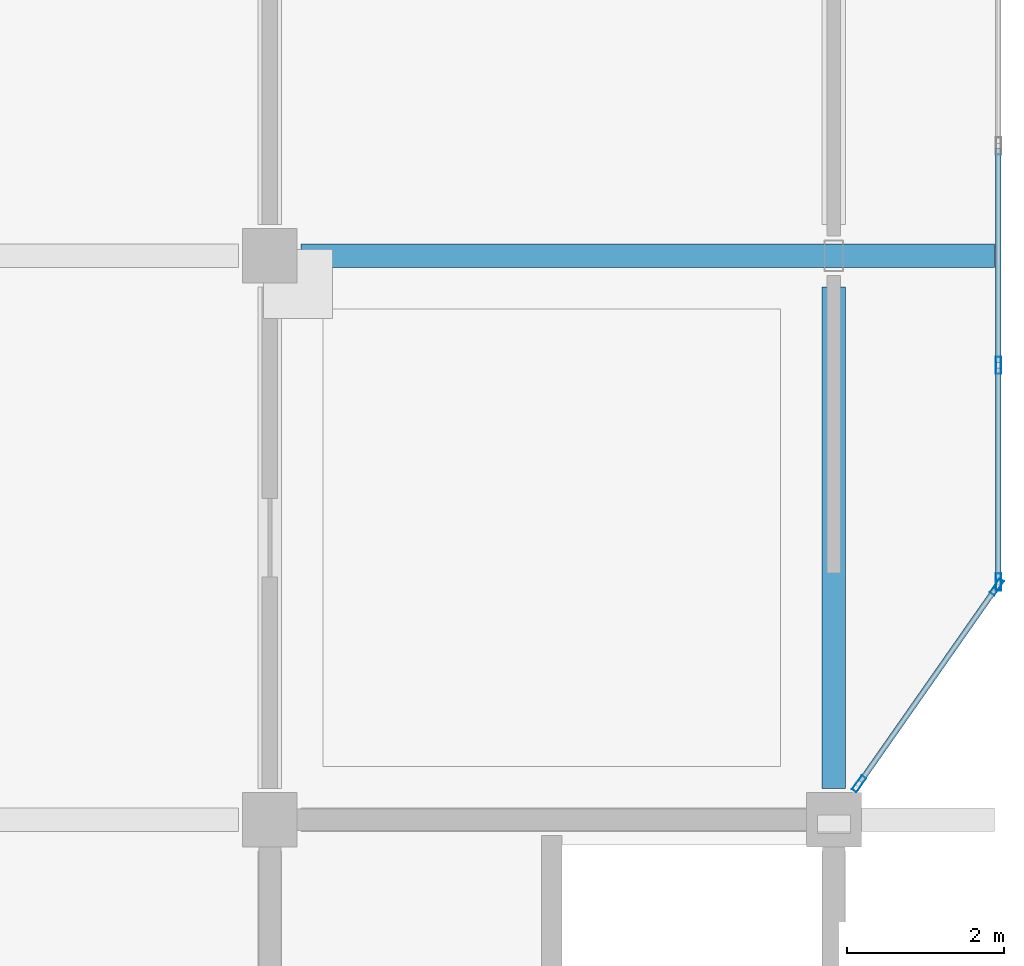
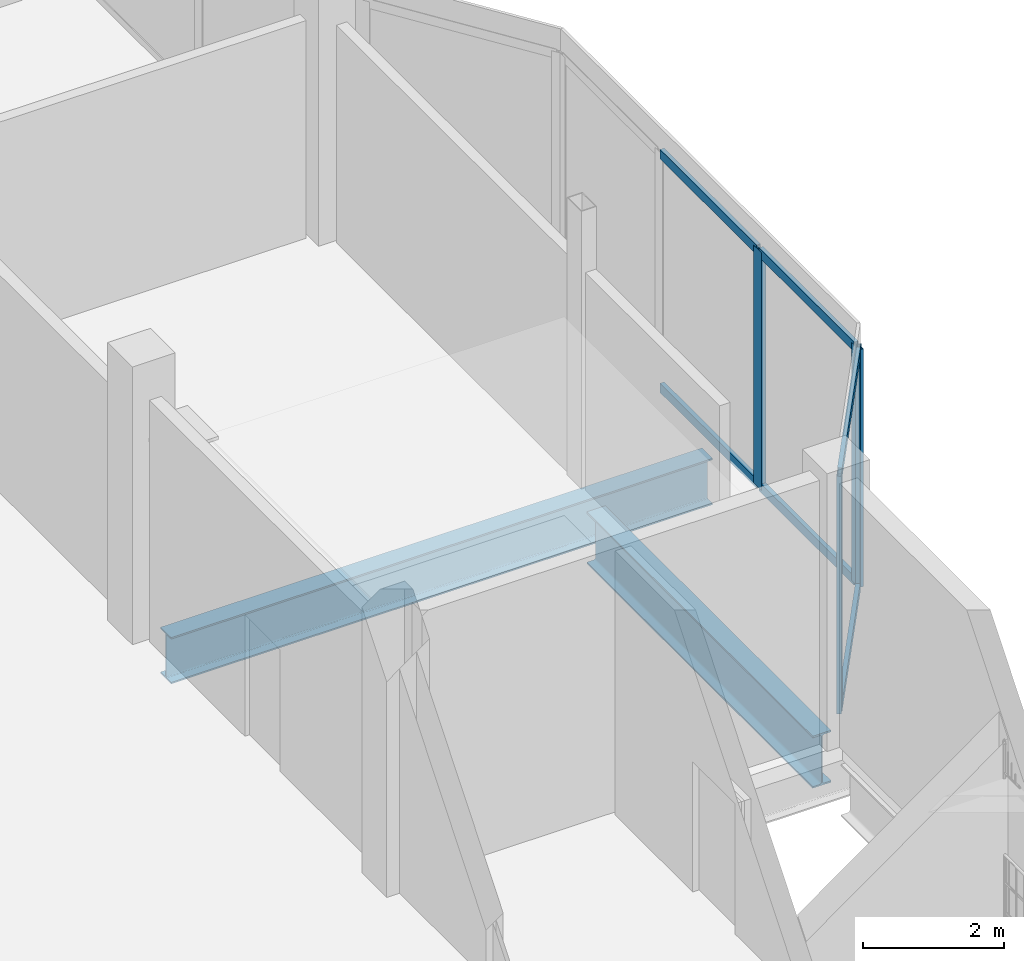
# One storey, part 70 of 120: 10 members, 2 beams, 2 elements without a shape of their own.
"""IFC4 building model written with IfcOpenShell, lengths in metres."""

from ifc_helpers import new_model, si_unit, direction, frame, origin, origin_2d, place, context, subcontext, project, spatial, hollow_rectangle, i_section, extrude, material, material_profile, profile_set, type_object, element, aggregate, save


model = new_model("IFC4")

# Units and contexts
model_context = context("Model", 3, precision=1e-05, world=origin(), true_north=direction((0.0, 1.0)))
body_context = subcontext(model_context, "Body", "Model", "MODEL_VIEW")
ifc_project = project(units=[si_unit("LENGTHUNIT", "METRE"), si_unit("AREAUNIT", "SQUARE_METRE"), si_unit("VOLUMEUNIT", "CUBIC_METRE"), si_unit("PLANEANGLEUNIT", "RADIAN"), si_unit("MASSUNIT", "GRAM", prefix="KILO")], contexts=[model_context])

# Site, building, storey
site_placement = place(None, origin())
site = spatial("IfcSite", under=ifc_project, at=site_placement, CompositionType="ELEMENT")
building_placement = place(site_placement, origin())
building = spatial("IfcBuilding", under=site, at=building_placement, Name="Vesperath Aquatics Centre", CompositionType="ELEMENT")
storey_placement = place(building_placement, frame((0.0, 0.0, 10.199951171875)))
storey = spatial("IfcBuildingStorey", under=building, at=storey_placement, Name="L02", CompositionType="ELEMENT", Elevation=10.199951171875)

# Beams
ifc_material_1 = material(Name="Steel Q355D", Category="steel")
ifc_material_profile_1 = material_profile(ifc_material_1, i_section(OverallWidth=0.300048828125, OverallDepth=0.89990234375, WebThickness=0.01611328125, FlangeThickness=0.028076171875, FilletRadius=0.028076171875, at=origin_2d()), Name="HN 900x300x16x28")
ifc_profile_set_1 = profile_set([ifc_material_profile_1], Name="Steel Q355D")
beam_type_1 = type_object("IfcBeamType", Name="BM-G06", PredefinedType="BEAM", material=ifc_profile_set_1)
beam_1_placement = place(storey_placement, frame((172.800048828125, 22.0, -0.7099609375), z_axis=(0.0, 1.0, 0.0), x_axis=(-1.0, 0.0, 0.0)))
element("IfcBeam", 1, at=beam_1_placement, inside=storey, type_object=beam_type_1, Name="Floor Girder B06 L02 25 D-E", PredefinedType="BEAM", context=body_context, shape_type="SweptSolid", body=[
    extrude(i_section(OverallWidth=0.300048828125, OverallDepth=0.89990234375, WebThickness=0.01611328125, FlangeThickness=0.028076171875, FilletRadius=0.028076171875, at=origin_2d()), origin(), (0.0, 0.0, 1.0), 6.39990234375),
])
ifc_material_profile_2 = material_profile(ifc_material_1, i_section(OverallWidth=0.300048828125, OverallDepth=0.800048828125, WebThickness=0.013916015625, FlangeThickness=0.02587890625, FilletRadius=0.028076171875, at=origin_2d()), Name="HN 800x300x14x26")
ifc_profile_set_2 = profile_set([ifc_material_profile_2], Name="Steel Q355D")
beam_type_2 = type_object("IfcBeamType", Name="BM-G07", PredefinedType="BEAM", material=ifc_profile_set_2)
beam_2_placement = place(storey_placement, frame((166.0, 28.800048828125, -0.659912109375), z_axis=(1.0, 0.0, 0.0), x_axis=(0.0, 1.0, 0.0)))
element("IfcBeam", 2, at=beam_2_placement, inside=storey, type_object=beam_type_2, Name="Floor Girder B07 L02 E 24-25", PredefinedType="BEAM", context=body_context, shape_type="SweptSolid", body=[
    extrude(i_section(OverallWidth=0.300048828125, OverallDepth=0.800048828125, WebThickness=0.013916015625, FlangeThickness=0.02587890625, FilletRadius=0.028076171875, at=origin_2d()), origin(), (0.0, 0.0, 1.0), 8.85009765625),
])

# Curtain wall, members
ifc_material_2 = material(Name="Thermally broken anodised bronze aluminium curtain wall", Category="aluminium")
curtain_wall_type = type_object("IfcCurtainWallType", Name="CW-06", PredefinedType="NOTDEFINED", material=ifc_material_2)
curtain_wall_1_placement = place(storey_placement, origin())
curtain_wall_1 = element("IfcCurtainWall", 3, at=curtain_wall_1_placement, inside=storey, type_object=curtain_wall_type, Name="East Avenue Bow Oriel Curtain Wall L02-S", PredefinedType="NOTDEFINED")
ifc_material_3 = material(Name="Thermally broken anodised aluminium", Category="aluminium")
ifc_material_profile_3 = material_profile(ifc_material_3, hollow_rectangle(XDim=0.070068359375, YDim=0.219970703125, WallThickness=0.0048828125, at=origin_2d()), Name="CWM 70x220x5")
ifc_profile_set_3 = profile_set([ifc_material_profile_3], Name="Thermally broken anodised aluminium")
member_type_1 = type_object("IfcMemberType", Name="MB-CWM2", PredefinedType="MULLION", material=ifc_profile_set_3)
member_1_placement = place(storey_placement, frame((173.12109375, 22.05859375, 0.0), z_axis=(0.0, 0.0, 1.0), x_axis=(-0.819231920515, 0.57346234437, 0.0)))
member_1 = element("IfcMember", 4, at=member_1_placement, type_object=member_type_1, Name="CW06 mullion 1", PredefinedType="MULLION", context=body_context, shape_type="SweptSolid", body=[
    extrude(hollow_rectangle(XDim=0.070068359375, YDim=0.219970703125, WallThickness=0.0048828125, at=origin_2d()), origin(), (0.0, 0.0, 1.0), 4.110107421875),
])
member_2_placement = place(storey_placement, frame((174.8798828125, 24.5712890625, 0.0), z_axis=(0.0, 0.0, 1.0), x_axis=(-0.819231920515, 0.57346234437, 0.0)))
member_2 = element("IfcMember", 5, at=member_2_placement, type_object=member_type_1, Name="CW06 mullion 2", PredefinedType="MULLION", context=body_context, shape_type="SweptSolid", body=[
    extrude(hollow_rectangle(XDim=0.070068359375, YDim=0.219970703125, WallThickness=0.0048828125, at=origin_2d()), origin(), (0.0, 0.0, 1.0), 4.110107421875),
])

curtain_wall_2_placement = place(storey_placement, origin())
curtain_wall_2 = element("IfcCurtainWall", 6, at=curtain_wall_2_placement, inside=storey, type_object=curtain_wall_type, Name="East Avenue Bow Oriel Curtain Wall L02-C", PredefinedType="NOTDEFINED")
member_3_placement = place(storey_placement, frame((174.89990234375, 24.635009765625, 0.0), z_axis=(0.0, 0.0, 1.0), x_axis=(-1.0, 0.0, 0.0)))
member_3 = element("IfcMember", 7, at=member_3_placement, type_object=member_type_1, Name="CW06 mullion 1", PredefinedType="MULLION", context=body_context, shape_type="SweptSolid", body=[
    extrude(hollow_rectangle(XDim=0.070068359375, YDim=0.219970703125, WallThickness=0.0048828125, at=origin_2d()), origin(), (0.0, 0.0, 1.0), 4.110107421875),
])
member_4_placement = place(storey_placement, frame((174.89990234375, 27.39990234375, 0.0), z_axis=(0.0, 0.0, 1.0), x_axis=(-1.0, 0.0, 0.0)))
member_4 = element("IfcMember", 8, at=member_4_placement, type_object=member_type_1, Name="CW06 mullion 2", PredefinedType="MULLION", context=body_context, shape_type="SweptSolid", body=[
    extrude(hollow_rectangle(XDim=0.070068359375, YDim=0.219970703125, WallThickness=0.0048828125, at=origin_2d()), origin(), (0.0, 0.0, 1.0), 4.110107421875),
])

# Member
ifc_material_profile_4 = material_profile(ifc_material_3, hollow_rectangle(XDim=0.070068359375, YDim=0.159912109375, WallThickness=0.0048828125, at=origin_2d()), Name="CWT 70x160x5")
ifc_profile_set_4 = profile_set([ifc_material_profile_4], Name="Thermally broken anodised aluminium")
member_type_2 = type_object("IfcMemberType", Name="MB-CWT2", PredefinedType="USERDEFINED", material=ifc_profile_set_4)
member_5_placement = place(storey_placement, frame((173.14111328125, 22.08740234375, 0.03515625), z_axis=(0.573467811364, 0.819228093592, 0.0), x_axis=(-0.819228093592, 0.573467811364, 0.0)))
member_5 = element("IfcMember", 9, at=member_5_placement, type_object=member_type_2, Name="CW06 transom 1.1", ObjectType="TRANSOM", PredefinedType="USERDEFINED", context=body_context, shape_type="SweptSolid", body=[
    extrude(hollow_rectangle(XDim=0.070068359375, YDim=0.159912109375, WallThickness=0.0048828125, at=origin_2d()), origin(), (0.0, 0.0, 1.0), 2.9970703125),
])

member_6_placement = place(storey_placement, frame((173.14111328125, 22.08740234375, 4.074951171875), z_axis=(0.573467811364, 0.819228093592, 0.0), x_axis=(-0.819228093592, 0.573467811364, 0.0)))
member_6 = element("IfcMember", 10, at=member_6_placement, type_object=member_type_2, Name="CW06 transom 1.2", ObjectType="TRANSOM", PredefinedType="USERDEFINED", context=body_context, shape_type="SweptSolid", body=[
    extrude(hollow_rectangle(XDim=0.070068359375, YDim=0.159912109375, WallThickness=0.0048828125, at=origin_2d()), origin(), (0.0, 0.0, 1.0), 2.9970703125),
])

aggregate(curtain_wall_1, [member_1, member_2, member_5, member_6])

member_7_placement = place(storey_placement, frame((174.89990234375, 24.669921875, 0.03515625), z_axis=(0.0, 1.0, 0.0), x_axis=(-1.0, 0.0, 0.0)))
member_7 = element("IfcMember", 11, at=member_7_placement, type_object=member_type_2, Name="CW06 transom 1.1", ObjectType="TRANSOM", PredefinedType="USERDEFINED", context=body_context, shape_type="SweptSolid", body=[
    extrude(hollow_rectangle(XDim=0.070068359375, YDim=0.159912109375, WallThickness=0.0048828125, at=origin_2d()), origin(), (0.0, 0.0, 1.0), 2.695068359375),
])

member_8_placement = place(storey_placement, frame((174.89990234375, 24.669921875, 4.074951171875), z_axis=(0.0, 1.0, 0.0), x_axis=(-1.0, 0.0, 0.0)))
member_8 = element("IfcMember", 12, at=member_8_placement, type_object=member_type_2, Name="CW06 transom 1.2", ObjectType="TRANSOM", PredefinedType="USERDEFINED", context=body_context, shape_type="SweptSolid", body=[
    extrude(hollow_rectangle(XDim=0.070068359375, YDim=0.159912109375, WallThickness=0.0048828125, at=origin_2d()), origin(), (0.0, 0.0, 1.0), 2.695068359375),
])

member_9_placement = place(storey_placement, frame((174.89990234375, 27.43505859375, 0.03515625), z_axis=(0.0, 1.0, 0.0), x_axis=(-1.0, 0.0, 0.0)))
member_9 = element("IfcMember", 13, at=member_9_placement, type_object=member_type_2, Name="CW06 transom 2.1", ObjectType="TRANSOM", PredefinedType="USERDEFINED", context=body_context, shape_type="SweptSolid", body=[
    extrude(hollow_rectangle(XDim=0.070068359375, YDim=0.159912109375, WallThickness=0.0048828125, at=origin_2d()), origin(), (0.0, 0.0, 1.0), 2.72998046875),
])

member_10_placement = place(storey_placement, frame((174.89990234375, 27.43505859375, 4.074951171875), z_axis=(0.0, 1.0, 0.0), x_axis=(-1.0, 0.0, 0.0)))
member_10 = element("IfcMember", 14, at=member_10_placement, type_object=member_type_2, Name="CW06 transom 2.2", ObjectType="TRANSOM", PredefinedType="USERDEFINED", context=body_context, shape_type="SweptSolid", body=[
    extrude(hollow_rectangle(XDim=0.070068359375, YDim=0.159912109375, WallThickness=0.0048828125, at=origin_2d()), origin(), (0.0, 0.0, 1.0), 2.72998046875),
])

aggregate(curtain_wall_2, [member_3, member_4, member_7, member_8, member_9, member_10])

save(model, "model.ifc")
